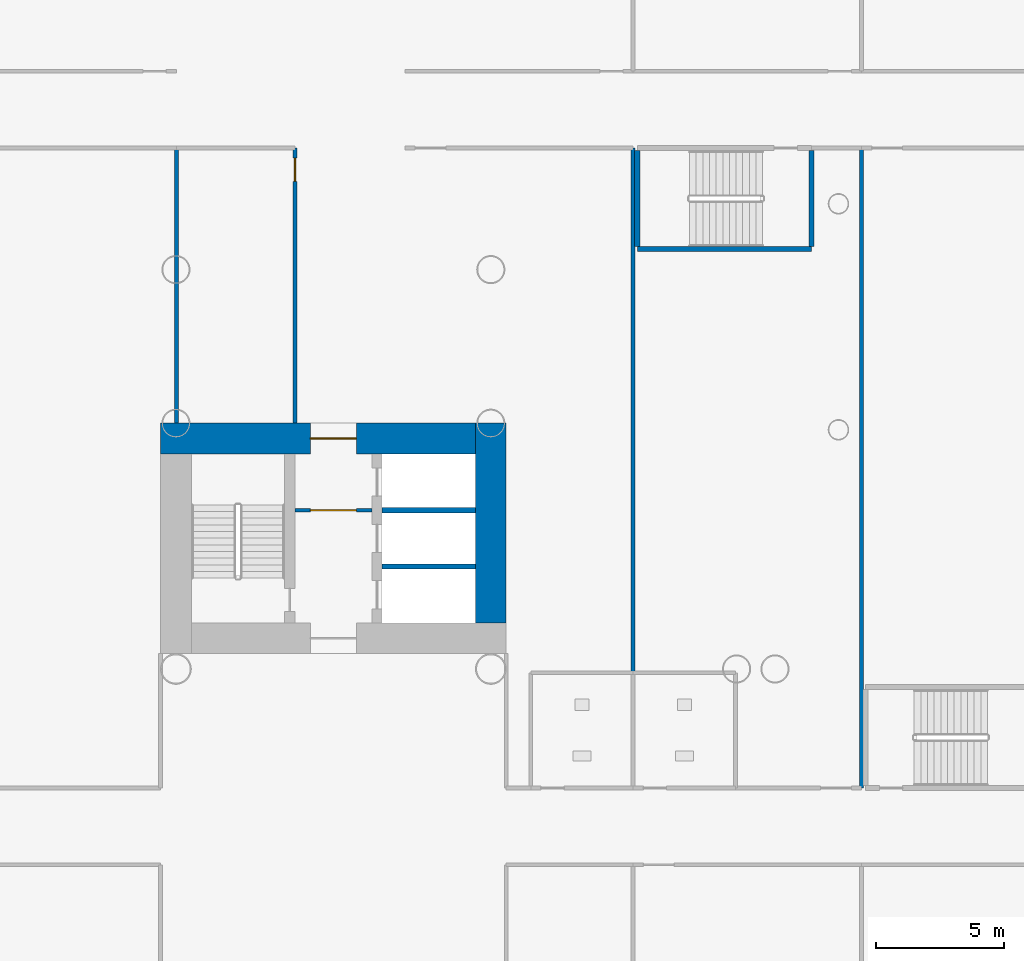
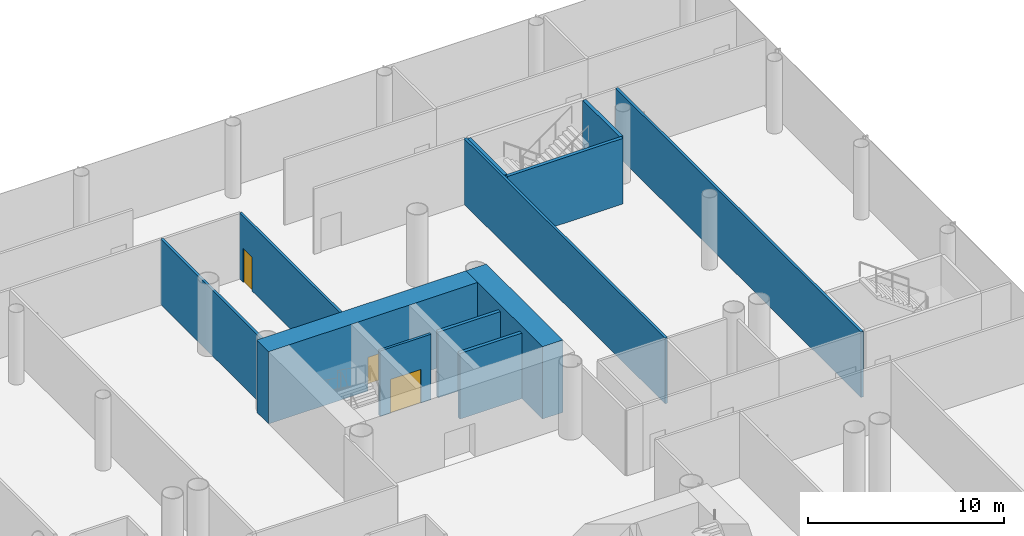
# One storey, part 22 of 49: 12 walls, 3 doors, 3 openings.
"""IFC4 building model written with IfcOpenShell, lengths in metres."""

from ifc_helpers import new_model, si_unit, direction, frame, frame_2d, origin, place, context, subcontext, project, spatial, rectangle, extrude, material, layer, layer_set, type_object, element, fill, save


model = new_model("IFC4")

# Units and contexts
model_context = context("Model", 3, precision=1e-05, world=origin(), true_north=direction((0.0, 1.0)))
body_context = subcontext(model_context, "Body", "Model", "MODEL_VIEW")
ifc_project = project(units=[si_unit("LENGTHUNIT", "METRE"), si_unit("AREAUNIT", "SQUARE_METRE"), si_unit("VOLUMEUNIT", "CUBIC_METRE"), si_unit("PLANEANGLEUNIT", "RADIAN"), si_unit("MASSUNIT", "GRAM", prefix="KILO")], contexts=[model_context])

# Site, building, storey
site_placement = place(None, origin())
site = spatial("IfcSite", under=ifc_project, at=site_placement, CompositionType="ELEMENT")
building_placement = place(site_placement, origin())
building = spatial("IfcBuilding", under=site, at=building_placement, Name="Ipe Terrace Towers", CompositionType="ELEMENT")
storey_placement = place(building_placement, frame((0.0, 0.0, 11.0)))
storey = spatial("IfcBuildingStorey", under=building, at=storey_placement, Name="L02", CompositionType="ELEMENT", Elevation=11.0)

# Wall, opening, door
ifc_material_1 = material(Name="Gypsum board partition", Category="plasterboard")
ifc_layer_1 = layer(ifc_material_1, 0.14990234375)
ifc_layer_set_1 = layer_set([ifc_layer_1], Name="Gypsum board partition 150 mm")
wall_type_1 = type_object("IfcWallType", Name="Gypsum board partition 150 mm", PredefinedType="PARTITIONING", material=ifc_layer_set_1)
wall_1_placement = place(storey_placement, frame((37.5, 12.35009765625, 0.0), z_axis=(0.0, 0.0, 1.0), x_axis=(-1.0, 0.0, 0.0)))
wall_1 = element("IfcWall", 1, at=wall_1_placement, inside=storey, type_object=wall_type_1, Name="Gypsum board partition T2 L02 t2c1-lobby-wall", PredefinedType="PARTITIONING", context=body_context, shape_type="SweptSolid", body=[
    extrude(rectangle(XDim=3.0, YDim=0.14990234375, at=frame_2d((1.5, 0.0))), origin(), (0.0, 0.0, 1.0), 4.080078125),
])
opening_1_placement = place(wall_1_placement, frame((0.60009765625, 0.0, 0.0)))
opening_1 = element("IfcOpeningElement", 2, at=opening_1_placement, cuts=wall_1, Name="Opening T2C1-VD", PredefinedType="OPENING", context=body_context, shape_type="SweptSolid", body=[
    extrude(rectangle(XDim=1.800048828125, YDim=2.10009765625, at=frame_2d((0.89990234375, 1.050048828125))), frame((0.0, 0.0849609375, 0.0), z_axis=(0.0, -1.0, 0.0), x_axis=(1.0, 0.0, 0.0)), (0.0, 0.0, 1.0), 0.169921875),
])
ifc_material_2 = material(Name="Fire-rated timber door leaf", Category="wood")
door_type_1 = type_object("IfcDoorType", Name="Lobby door 1800 x 2100 FD60", OperationType="NOTDEFINED", PredefinedType="DOOR", material=ifc_material_2)
door_1_placement = place(opening_1_placement, origin())
door_1 = element("IfcDoor", 3, at=door_1_placement, inside=storey, type_object=door_type_1, Name="Lobby door T2C1-VD", OperationType="SINGLE_SWING_LEFT", OverallHeight=2.10009765625, OverallWidth=1.800048828125, PredefinedType="DOOR", context=body_context, shape_type="SweptSolid", body=[
    extrude(rectangle(XDim=1.800048828125, YDim=2.10009765625, at=frame_2d((0.89990234375, 1.050048828125))), frame((0.0, 0.02490234375, 0.0), z_axis=(0.0, -1.0, 0.0), x_axis=(1.0, 0.0, 0.0)), (0.0, 0.0, 1.0), 0.050048828125),
])
fill(opening_1, door_1)

# Wall
wall_2_placement = place(storey_placement, frame((29.8701171875, 26.5, 0.0), z_axis=(0.0, 0.0, 1.0), x_axis=(0.0, -1.0, 0.0)))
element("IfcWall", 4, at=wall_2_placement, inside=storey, type_object=wall_type_1, Name="Gypsum board partition T2 L02 pd-r41-r46-w37", PredefinedType="PARTITIONING", context=body_context, shape_type="SweptSolid", body=[
    extrude(rectangle(XDim=10.75, YDim=0.14990234375, at=frame_2d((5.375, 0.0))), origin(), (0.0, 0.0, 1.0), 4.080078125),
])

# Wall, opening, door
wall_3_placement = place(storey_placement, frame((34.5, 26.5, 0.0), z_axis=(0.0, 0.0, 1.0), x_axis=(0.0, -1.0, 0.0)))
wall_3 = element("IfcWall", 5, at=wall_3_placement, inside=storey, type_object=wall_type_1, Name="Gypsum board partition T2 L02 pd-r46-w45", PredefinedType="PARTITIONING", context=body_context, shape_type="SweptSolid", body=[
    extrude(rectangle(XDim=10.75, YDim=0.14990234375, at=frame_2d((5.375, 0.0))), origin(), (0.0, 0.0, 1.0), 4.080078125),
])
opening_2_placement = place(wall_3_placement, frame((0.39990234375, 0.0, 0.0)))
opening_2 = element("IfcOpeningElement", 6, at=opening_2_placement, cuts=wall_3, Name="Opening PD-L02-r46", PredefinedType="OPENING", context=body_context, shape_type="SweptSolid", body=[
    extrude(rectangle(XDim=0.89990234375, YDim=2.10009765625, at=frame_2d((0.449951171875, 1.050048828125))), frame((0.0, 0.0849609375, 0.0), z_axis=(0.0, -1.0, 0.0), x_axis=(1.0, 0.0, 0.0)), (0.0, 0.0, 1.0), 0.169921875),
])
ifc_material_3 = material(Name="Fire-rated timber door leaf", Category="wood")
door_type_2 = type_object("IfcDoorType", Name="Lounge door 900 x 2100 FD30S", OperationType="NOTDEFINED", PredefinedType="DOOR", material=ifc_material_3)
door_2_placement = place(opening_2_placement, origin())
door_2 = element("IfcDoor", 7, at=door_2_placement, inside=storey, type_object=door_type_2, Name="Lounge door PD-L02-r46", OperationType="SINGLE_SWING_RIGHT", OverallHeight=2.10009765625, OverallWidth=0.89990234375, PredefinedType="DOOR", context=body_context, shape_type="SweptSolid", body=[
    extrude(rectangle(XDim=0.89990234375, YDim=2.10009765625, at=frame_2d((0.449951171875, 1.050048828125))), frame((0.0, 0.02490234375, 0.0), z_axis=(0.0, -1.0, 0.0), x_axis=(1.0, 0.0, 0.0)), (0.0, 0.0, 1.0), 0.050048828125),
])
fill(opening_2, door_2)

# Walls
wall_4_placement = place(storey_placement, frame((47.7099609375, 26.5, 0.0), z_axis=(0.0, 0.0, 1.0), x_axis=(0.0, -1.0, 0.0)))
element("IfcWall", 8, at=wall_4_placement, inside=storey, type_object=wall_type_1, Name="Gypsum board partition T2 L02 pd-r49-r54-w54", PredefinedType="PARTITIONING", context=body_context, shape_type="SweptSolid", body=[
    extrude(rectangle(XDim=20.5, YDim=0.14990234375, at=frame_2d((10.25, 0.0))), origin(), (0.0, 0.0, 1.0), 4.080078125),
])
wall_5_placement = place(storey_placement, frame((56.6298828125, 26.5, 0.0), z_axis=(0.0, 0.0, 1.0), x_axis=(0.0, -1.0, 0.0)))
element("IfcWall", 9, at=wall_5_placement, inside=storey, type_object=wall_type_1, Name="Gypsum board partition T2 L02 pd-r54-r58-w68", PredefinedType="PARTITIONING", context=body_context, shape_type="SweptSolid", body=[
    extrude(rectangle(XDim=25.0, YDim=0.14990234375, at=frame_2d((12.5, 0.0))), origin(), (0.0, 0.0, 1.0), 4.080078125),
])
ifc_material_4 = material(Name="Gypsum board party wall", Category="plasterboard")
ifc_layer_2 = layer(ifc_material_4, 0.199951171875)
ifc_layer_set_2 = layer_set([ifc_layer_2], Name="Gypsum board party wall 200 mm")
wall_type_2 = type_object("IfcWallType", Name="Gypsum board party wall 200 mm", PredefinedType="SOLIDWALL", material=ifc_layer_set_2)
for number, where, z_axis, x_axis, name in (
    (10, (41.550048828125, 10.14990234375, 0.0), (0.0, 0.0, 1.0), (-1.0, 0.0, 0.0), "Gypsum board party wall T2 L02 t2c1-shaft-div1"),
    (11, (41.550048828125, 12.35009765625, 0.0), (0.0, 0.0, 1.0), (-1.0, 0.0, 0.0), "Gypsum board party wall T2 L02 t2c1-shaft-div2"),
):
    element("IfcWall", number, at=place(storey_placement, frame(where, z_axis=z_axis, x_axis=x_axis)), inside=storey, type_object=wall_type_2, Name=name, PredefinedType="SOLIDWALL", context=body_context, shape_type="SweptSolid", body=[
        extrude(rectangle(XDim=3.650146484375, YDim=0.199951171875, at=frame_2d((1.8251953125, 0.0))), origin(), (0.0, 0.0, 1.0), 4.080078125),
    ])
ifc_material_5 = material(Name="Concrete C60/75", Category="concrete")
ifc_layer_3 = layer(ifc_material_5, 1.199951171875)
ifc_layer_set_3 = layer_set([ifc_layer_3], Name="RW1200 CORE WALL 1200 C60-75")
wall_type_3 = type_object("IfcWallType", Name="RW1200 CORE WALL 1200 C60-75", PredefinedType="SHEAR", material=ifc_layer_set_3)
wall_6_placement = place(storey_placement, frame((42.14990234375, 7.949951171875, 0.0), z_axis=(0.0, 0.0, 1.0), x_axis=(0.0, 1.0, 0.0)))
element("IfcWall", 12, at=wall_6_placement, inside=storey, type_object=wall_type_3, Name="Core wall T2-C1-P-W02", PredefinedType="SHEAR", context=body_context, shape_type="SweptSolid", body=[
    extrude(rectangle(XDim=7.800048828125, YDim=1.199951171875, at=frame_2d((3.89990234375, 0.0))), origin(), (0.0, 0.0, 1.0), 4.5),
])

# Wall, opening, door
wall_7_placement = place(storey_placement, frame((41.550048828125, 15.14990234375, 0.0), z_axis=(0.0, 0.0, 1.0), x_axis=(-1.0, 0.0, 0.0)))
wall_7 = element("IfcWall", 13, at=wall_7_placement, inside=storey, type_object=wall_type_3, Name="Core wall T2-C1-P-W03", PredefinedType="SHEAR", context=body_context, shape_type="SweptSolid", body=[
    extrude(rectangle(XDim=12.300048828125, YDim=1.199951171875, at=frame_2d((6.14990234375, 0.0))), origin(), (0.0, 0.0, 1.0), 4.5),
])
opening_3_placement = place(wall_7_placement, frame((4.64990234375, 0.0, 0.0)))
opening_3 = element("IfcOpeningElement", 14, at=opening_3_placement, cuts=wall_7, Name="Opening T2C1-FD", PredefinedType="OPENING", context=body_context, shape_type="SweptSolid", body=[
    extrude(rectangle(XDim=1.800048828125, YDim=2.10009765625, at=frame_2d((0.89990234375, 1.050048828125))), frame((0.0, 0.60986328125, 0.0), z_axis=(0.0, -1.0, 0.0), x_axis=(1.0, 0.0, 0.0)), (0.0, 0.0, 1.0), 1.219970703125),
])
ifc_material_6 = material(Name="Fire-rated timber door leaf", Category="wood")
door_type_3 = type_object("IfcDoorType", Name="Fire door 1800 x 2100 FD30S", OperationType="NOTDEFINED", PredefinedType="DOOR", material=ifc_material_6)
door_3_placement = place(opening_3_placement, origin())
door_3 = element("IfcDoor", 15, at=door_3_placement, inside=storey, type_object=door_type_3, Name="Fire door T2C1-FD", OperationType="SINGLE_SWING_LEFT", OverallHeight=2.10009765625, OverallWidth=1.800048828125, PredefinedType="DOOR", context=body_context, shape_type="SweptSolid", body=[
    extrude(rectangle(XDim=1.800048828125, YDim=2.10009765625, at=frame_2d((0.89990234375, 1.050048828125))), frame((0.0, 0.02490234375, 0.0), z_axis=(0.0, -1.0, 0.0), x_axis=(1.0, 0.0, 0.0)), (0.0, 0.0, 1.0), 0.050048828125),
])
fill(opening_3, door_3)

# Walls
ifc_material_7 = material(Name="Concrete C40/50", Category="concrete")
ifc_layer_4 = layer(ifc_material_7, 0.199951171875)
ifc_layer_set_4 = layer_set([ifc_layer_4], Name="RW200 PODIUM STAIR SHAFT WALL 200 C40-50")
wall_type_4 = type_object("IfcWallType", Name="RW200 PODIUM STAIR SHAFT WALL 200 C40-50", PredefinedType="SHEAR", material=ifc_layer_set_4)
wall_8_placement = place(storey_placement, frame((47.8701171875, 22.550048828125, 0.0), z_axis=(0.0, 0.0, 1.0), x_axis=(1.0, 0.0, 0.0)))
element("IfcWall", 16, at=wall_8_placement, inside=storey, type_object=wall_type_4, Name="Stair shaft wall T2 L02 ps3-f", PredefinedType="SHEAR", context=body_context, shape_type="SweptSolid", body=[
    extrude(rectangle(XDim=6.7998046875, YDim=0.199951171875, at=frame_2d((3.39990234375, 0.0))), origin(), (0.0, 0.0, 1.0), 4.080078125),
])
for number, where, z_axis, x_axis, name in (
    (17, (47.8701171875, 22.64990234375, 0.0), (0.0, 0.0, 1.0), (0.0, 1.0, 0.0), "Stair shaft wall T2 L02 ps3-w"),
    (18, (54.669921875, 22.64990234375, 0.0), (0.0, 0.0, 1.0), (0.0, 1.0, 0.0), "Stair shaft wall T2 L02 ps3-e"),
):
    element("IfcWall", number, at=place(storey_placement, frame(where, z_axis=z_axis, x_axis=x_axis)), inside=storey, type_object=wall_type_4, Name=name, PredefinedType="SHEAR", context=body_context, shape_type="SweptSolid", body=[
        extrude(rectangle(XDim=3.75, YDim=0.199951171875, at=frame_2d((1.875, 0.0))), origin(), (0.0, 0.0, 1.0), 4.080078125),
    ])

save(model, "model.ifc")
